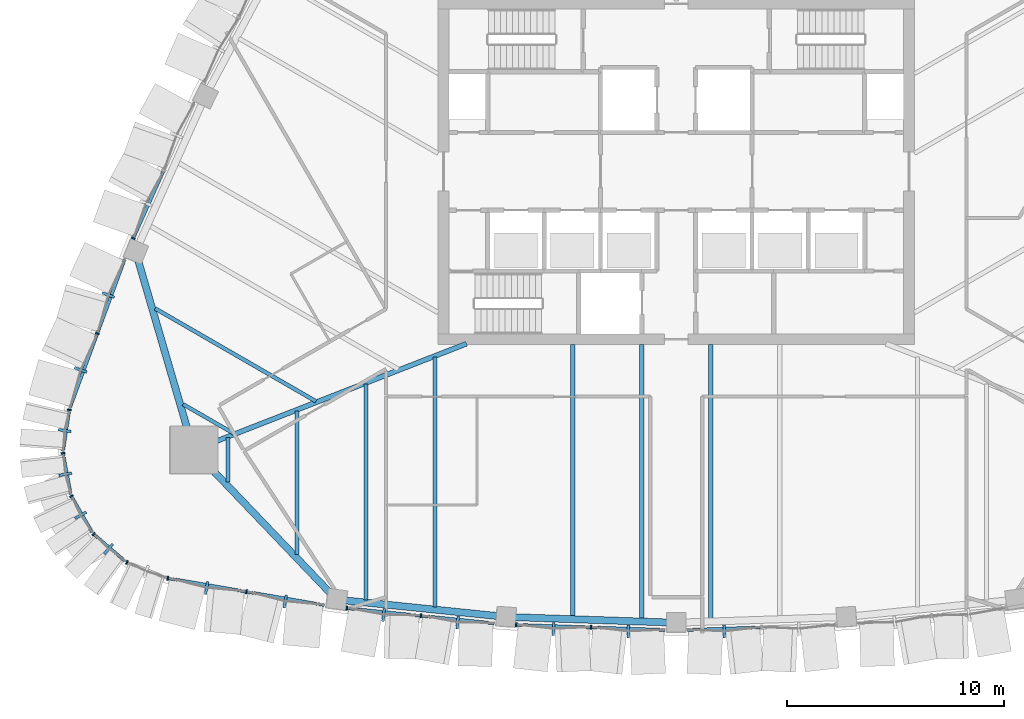
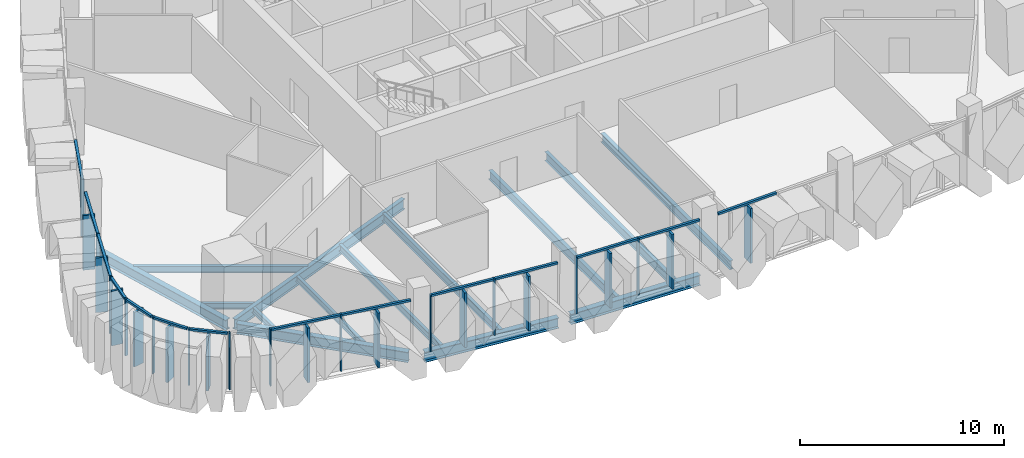
# One storey, part 2 of 19: 40 members, 14 beams, 11 elements without a shape of their own.
"""IFC4 building model written with IfcOpenShell, lengths in metres."""

from ifc_helpers import new_model, si_unit, direction, frame, origin, origin_2d, place, context, subcontext, project, spatial, rectangle, i_section, extrude, material, layer, layer_set, material_profile, profile_set, type_object, element, aggregate, save


model = new_model("IFC4")

# Units and contexts
model_context = context("Model", 3, precision=1e-05, world=origin(), true_north=direction((0.0, 1.0)))
body_context = subcontext(model_context, "Body", "Model", "MODEL_VIEW")
ifc_project = project(units=[si_unit("LENGTHUNIT", "METRE"), si_unit("AREAUNIT", "SQUARE_METRE"), si_unit("VOLUMEUNIT", "CUBIC_METRE"), si_unit("PLANEANGLEUNIT", "RADIAN"), si_unit("MASSUNIT", "GRAM", prefix="KILO")], contexts=[model_context])

# Site, building, storey
site_placement = place(None, origin())
site = spatial("IfcSite", under=ifc_project, at=site_placement, CompositionType="ELEMENT")
building_placement = place(site_placement, origin())
building = spatial("IfcBuilding", under=site, at=building_placement, Name="Sierra Prisma Convention Tower", CompositionType="ELEMENT")
storey_placement = place(building_placement, frame((0.0, 0.0, 231.0)))
storey = spatial("IfcBuildingStorey", under=building, at=storey_placement, Name="L51", CompositionType="ELEMENT", Elevation=231.0)

# Curtain wall, members
ifc_material_1 = material(Name="Aluminium and glass curtain wall", Category="aluminium")
ifc_layer = layer(ifc_material_1, 0.179931640625)
ifc_layer_set = layer_set([ifc_layer], Name="CW-2 Faceted crystal curtain wall")
curtain_wall_type = type_object("IfcCurtainWallType", Name="CW-2 Faceted crystal curtain wall", PredefinedType="NOTDEFINED", material=ifc_layer_set)
curtain_wall_1_placement = place(storey_placement, origin())
curtain_wall_1 = element("IfcCurtainWall", 1, at=curtain_wall_1_placement, inside=storey, type_object=curtain_wall_type, Name="CW-2 S1 L51", PredefinedType="NOTDEFINED")
ifc_material_2 = material(Name="Aluminium 6063-T6 bronze anodised", Category="aluminium")
ifc_material_profile_1 = material_profile(ifc_material_2, rectangle(XDim=0.1201171875, YDim=0.60009765625, at=origin_2d()), Name="ALU RIDGE BLADE 120x600")
ifc_profile_set_1 = profile_set([ifc_material_profile_1], Name="Aluminium 6063-T6 bronze anodised")
member_type_1 = type_object("IfcMemberType", Name="CW hip bronze", PredefinedType="MULLION", material=ifc_profile_set_1)
member_1_placement = place(storey_placement, frame((-21.69091796875, -19.2392578125, 0.0), z_axis=(0.0, 0.0, 1.0), x_axis=(0.985523882043, -0.169536656574, 0.0)))
member_1 = element("IfcMember", 2, at=member_1_placement, type_object=member_type_1, Name="CW-2 ridge S1.1", PredefinedType="MULLION", context=body_context, shape_type="SweptSolid", body=[
    extrude(rectangle(XDim=0.1201171875, YDim=0.60009765625, at=origin_2d()), origin(), (0.0, 0.0, 1.0), 3.280029296875),
])
member_2_placement = place(storey_placement, frame((-18.057861328125, -19.8642578125, 0.0), z_axis=(0.0, 0.0, 1.0), x_axis=(0.985523882043, -0.169536656574, 0.0)))
member_2 = element("IfcMember", 3, at=member_2_placement, type_object=member_type_1, Name="CW-2 ridge S1.2", PredefinedType="MULLION", context=body_context, shape_type="SweptSolid", body=[
    extrude(rectangle(XDim=0.1201171875, YDim=0.60009765625, at=origin_2d()), origin(), (0.0, 0.0, 1.0), 3.280029296875),
])

curtain_wall_2_placement = place(storey_placement, origin())
curtain_wall_2 = element("IfcCurtainWall", 4, at=curtain_wall_2_placement, inside=storey, type_object=curtain_wall_type, Name="CW-2 S2 L51", PredefinedType="NOTDEFINED")
member_3_placement = place(storey_placement, frame((-13.515869140625, -20.47998046875, 0.0), z_axis=(0.0, 0.0, 1.0), x_axis=(0.994780522114, -0.102037800949, 0.0)))
member_3 = element("IfcMember", 5, at=member_3_placement, type_object=member_type_1, Name="CW-2 ridge S2.1", PredefinedType="MULLION", context=body_context, shape_type="SweptSolid", body=[
    extrude(rectangle(XDim=0.1201171875, YDim=0.60009765625, at=origin_2d()), origin(), (0.0, 0.0, 1.0), 3.280029296875),
])
member_4_placement = place(storey_placement, frame((-10.0947265625, -20.830810546875, 0.0), z_axis=(0.0, 0.0, 1.0), x_axis=(0.994780522114, -0.102037800949, 0.0)))
member_4 = element("IfcMember", 6, at=member_4_placement, type_object=member_type_1, Name="CW-2 ridge S2.2", PredefinedType="MULLION", context=body_context, shape_type="SweptSolid", body=[
    extrude(rectangle(XDim=0.1201171875, YDim=0.60009765625, at=origin_2d()), origin(), (0.0, 0.0, 1.0), 3.280029296875),
])

curtain_wall_3_placement = place(storey_placement, origin())
curtain_wall_3 = element("IfcCurtainWall", 7, at=curtain_wall_3_placement, inside=storey, type_object=curtain_wall_type, Name="CW-2 S3 L51", PredefinedType="NOTDEFINED")
member_5_placement = place(storey_placement, frame((-5.6689453125, -21.1328125, 0.0), z_axis=(0.0, 0.0, 1.0), x_axis=(0.999419608961, -0.03406530821, 0.0)))
member_5 = element("IfcMember", 8, at=member_5_placement, type_object=member_type_1, Name="CW-2 ridge S3.1", PredefinedType="MULLION", context=body_context, shape_type="SweptSolid", body=[
    extrude(rectangle(XDim=0.1201171875, YDim=0.60009765625, at=origin_2d()), origin(), (0.0, 0.0, 1.0), 3.280029296875),
])
member_6_placement = place(storey_placement, frame((-2.2158203125, -21.250732421875, 0.0), z_axis=(0.0, 0.0, 1.0), x_axis=(0.999419608961, -0.03406530821, 0.0)))
member_6 = element("IfcMember", 9, at=member_6_placement, type_object=member_type_1, Name="CW-2 ridge S3.2", PredefinedType="MULLION", context=body_context, shape_type="SweptSolid", body=[
    extrude(rectangle(XDim=0.1201171875, YDim=0.60009765625, at=origin_2d()), origin(), (0.0, 0.0, 1.0), 3.280029296875),
])

# Curtain wall, member
curtain_wall_4_placement = place(storey_placement, origin())
curtain_wall_4 = element("IfcCurtainWall", 10, at=curtain_wall_4_placement, inside=storey, type_object=curtain_wall_type, Name="CW-2 S4 L51", PredefinedType="NOTDEFINED")
member_7_placement = place(storey_placement, frame((2.2158203125, -21.250732421875, 0.0), z_axis=(0.0, 0.0, 1.0), x_axis=(0.999419608961, 0.03406530821, 0.0)))
member_7 = element("IfcMember", 11, at=member_7_placement, type_object=member_type_1, Name="CW-2 ridge S4.1", PredefinedType="MULLION", context=body_context, shape_type="SweptSolid", body=[
    extrude(rectangle(XDim=0.1201171875, YDim=0.60009765625, at=origin_2d()), origin(), (0.0, 0.0, 1.0), 3.280029296875),
])

# Curtain wall, members
curtain_wall_5_placement = place(storey_placement, origin())
curtain_wall_5 = element("IfcCurtainWall", 12, at=curtain_wall_5_placement, inside=storey, type_object=curtain_wall_type, Name="CW-2 NW6 L51", PredefinedType="NOTDEFINED")
member_8_placement = place(storey_placement, frame((-26.23193359375, -5.70654296875, 0.0), z_axis=(0.0, 0.0, 1.0), x_axis=(-0.345938889556, -0.938257046173, 0.0)))
member_8 = element("IfcMember", 13, at=member_8_placement, type_object=member_type_1, Name="CW-2 ridge NW6.1", PredefinedType="MULLION", context=body_context, shape_type="SweptSolid", body=[
    extrude(rectangle(XDim=0.1201171875, YDim=0.60009765625, at=origin_2d()), origin(), (0.0, 0.0, 1.0), 3.280029296875),
])
member_9_placement = place(storey_placement, frame((-27.507080078125, -9.165283203125, 0.0), z_axis=(0.0, 0.0, 1.0), x_axis=(-0.345938889556, -0.938257046173, 0.0)))
member_9 = element("IfcMember", 14, at=member_9_placement, type_object=member_type_1, Name="CW-2 ridge NW6.2", PredefinedType="MULLION", context=body_context, shape_type="SweptSolid", body=[
    extrude(rectangle(XDim=0.1201171875, YDim=0.60009765625, at=origin_2d()), origin(), (0.0, 0.0, 1.0), 3.280029296875),
])

# Curtain wall, member
curtain_wall_6_placement = place(storey_placement, origin())
curtain_wall_6 = element("IfcCurtainWall", 15, at=curtain_wall_6_placement, inside=storey, type_object=curtain_wall_type, Name="CW-2 SW1 L51", PredefinedType="NOTDEFINED")
member_10_placement = place(storey_placement, frame((-28.24853515625, -11.966552734375, 0.0), z_axis=(0.0, 0.0, 1.0), x_axis=(-0.150045352731, -0.988679114842, 0.0)))
member_10 = element("IfcMember", 16, at=member_10_placement, type_object=member_type_1, Name="CW-2 ridge SW1.1", PredefinedType="MULLION", context=body_context, shape_type="SweptSolid", body=[
    extrude(rectangle(XDim=0.1201171875, YDim=0.60009765625, at=origin_2d()), origin(), (0.0, 0.0, 1.0), 3.280029296875),
])

curtain_wall_7_placement = place(storey_placement, origin())
curtain_wall_7 = element("IfcCurtainWall", 17, at=curtain_wall_7_placement, inside=storey, type_object=curtain_wall_type, Name="CW-2 SW2 L51", PredefinedType="NOTDEFINED")
member_11_placement = place(storey_placement, frame((-28.21240234375, -13.987548828125, 0.0), z_axis=(0.0, 0.0, 1.0), x_axis=(0.185413179131, -0.982660649973, 0.0)))
member_11 = element("IfcMember", 18, at=member_11_placement, type_object=member_type_1, Name="CW-2 ridge SW2.1", PredefinedType="MULLION", context=body_context, shape_type="SweptSolid", body=[
    extrude(rectangle(XDim=0.1201171875, YDim=0.60009765625, at=origin_2d()), origin(), (0.0, 0.0, 1.0), 3.280029296875),
])

curtain_wall_8_placement = place(storey_placement, origin())
curtain_wall_8 = element("IfcCurtainWall", 19, at=curtain_wall_8_placement, inside=storey, type_object=curtain_wall_type, Name="CW-2 SW3 L51", PredefinedType="NOTDEFINED")
member_12_placement = place(storey_placement, frame((-27.509765625, -15.8828125, 0.0), z_axis=(0.0, 0.0, 1.0), x_axis=(0.5, -0.866025403784, 0.0)))
member_12 = element("IfcMember", 20, at=member_12_placement, type_object=member_type_1, Name="CW-2 ridge SW3.1", PredefinedType="MULLION", context=body_context, shape_type="SweptSolid", body=[
    extrude(rectangle(XDim=0.1201171875, YDim=0.60009765625, at=origin_2d()), origin(), (0.0, 0.0, 1.0), 3.280029296875),
])

curtain_wall_9_placement = place(storey_placement, origin())
curtain_wall_9 = element("IfcCurtainWall", 21, at=curtain_wall_9_placement, inside=storey, type_object=curtain_wall_type, Name="CW-2 SW4 L51", PredefinedType="NOTDEFINED")
member_13_placement = place(storey_placement, frame((-26.2197265625, -17.438720703125, 0.0), z_axis=(0.0, 0.0, 1.0), x_axis=(0.75830249661, -0.65190284831, 0.0)))
member_13 = element("IfcMember", 22, at=member_13_placement, type_object=member_type_1, Name="CW-2 ridge SW4.1", PredefinedType="MULLION", context=body_context, shape_type="SweptSolid", body=[
    extrude(rectangle(XDim=0.1201171875, YDim=0.60009765625, at=origin_2d()), origin(), (0.0, 0.0, 1.0), 3.280029296875),
])

# Member
ifc_material_3 = material(Name="Aluminium 6063-T6 bronze anodised", Category="aluminium")
ifc_material_profile_2 = material_profile(ifc_material_3, rectangle(XDim=0.179931640625, YDim=0.070068359375, at=origin_2d()), Name="ALU MULLION 70x180")
ifc_profile_set_2 = profile_set([ifc_material_profile_2], Name="Aluminium 6063-T6 bronze anodised")
member_type_2 = type_object("IfcMemberType", Name="CW mullion bronze", PredefinedType="MULLION", material=ifc_profile_set_2)
member_14_placement = place(storey_placement, frame((-23.483154296875, -18.78662109375, 0.0), z_axis=(0.0, 0.0, 1.0), x_axis=(0.169536656574, 0.985523882043, 0.0)))
member_14 = element("IfcMember", 23, at=member_14_placement, type_object=member_type_2, Name="CW-1 mullion S1.1", PredefinedType="MULLION", context=body_context, shape_type="SweptSolid", body=[
    extrude(rectangle(XDim=0.179931640625, YDim=0.070068359375, at=origin_2d()), origin(), (0.0, 0.0, 1.0), 3.39990234375),
])

member_15_placement = place(storey_placement, frame((-19.850341796875, -19.411376953125, 0.0), z_axis=(0.0, 0.0, 1.0), x_axis=(0.169536656574, 0.985523882043, 0.0)))
member_15 = element("IfcMember", 24, at=member_15_placement, type_object=member_type_2, Name="CW-1 mullion S1.2", PredefinedType="MULLION", context=body_context, shape_type="SweptSolid", body=[
    extrude(rectangle(XDim=0.179931640625, YDim=0.070068359375, at=origin_2d()), origin(), (0.0, 0.0, 1.0), 3.39990234375),
])

member_16_placement = place(storey_placement, frame((-15.212890625, -20.172607421875, 0.0), z_axis=(0.0, 0.0, 1.0), x_axis=(0.102037800949, 0.994780522114, 0.0)))
member_16 = element("IfcMember", 25, at=member_16_placement, type_object=member_type_2, Name="CW-1 mullion S2.1", PredefinedType="MULLION", context=body_context, shape_type="SweptSolid", body=[
    extrude(rectangle(XDim=0.179931640625, YDim=0.070068359375, at=origin_2d()), origin(), (0.0, 0.0, 1.0), 3.39990234375),
])

member_17_placement = place(storey_placement, frame((-11.791748046875, -20.523681640625, 0.0), z_axis=(0.0, 0.0, 1.0), x_axis=(0.102037800949, 0.994780522114, 0.0)))
member_17 = element("IfcMember", 26, at=member_17_placement, type_object=member_type_2, Name="CW-1 mullion S2.2", PredefinedType="MULLION", context=body_context, shape_type="SweptSolid", body=[
    extrude(rectangle(XDim=0.179931640625, YDim=0.070068359375, at=origin_2d()), origin(), (0.0, 0.0, 1.0), 3.39990234375),
])

member_18_placement = place(storey_placement, frame((-7.390869140625, -20.94091796875, 0.0), z_axis=(0.0, 0.0, 1.0), x_axis=(0.03406530821, 0.999419608961, 0.0)))
member_18 = element("IfcMember", 27, at=member_18_placement, type_object=member_type_2, Name="CW-1 mullion S3.1", PredefinedType="MULLION", context=body_context, shape_type="SweptSolid", body=[
    extrude(rectangle(XDim=0.179931640625, YDim=0.070068359375, at=origin_2d()), origin(), (0.0, 0.0, 1.0), 3.39990234375),
])

member_19_placement = place(storey_placement, frame((-3.937744140625, -21.05859375, 0.0), z_axis=(0.0, 0.0, 1.0), x_axis=(0.03406530821, 0.999419608961, 0.0)))
member_19 = element("IfcMember", 28, at=member_19_placement, type_object=member_type_2, Name="CW-1 mullion S3.2", PredefinedType="MULLION", context=body_context, shape_type="SweptSolid", body=[
    extrude(rectangle(XDim=0.179931640625, YDim=0.070068359375, at=origin_2d()), origin(), (0.0, 0.0, 1.0), 3.39990234375),
])

# Curtain wall, member
curtain_wall_10_placement = place(storey_placement, origin())
curtain_wall_10 = element("IfcCurtainWall", 29, at=curtain_wall_10_placement, inside=storey, type_object=curtain_wall_type, Name="CW-2 NW5 L51", PredefinedType="NOTDEFINED")
member_20_placement = place(storey_placement, frame((-25.076416015625, -3.08837890625, 0.0), z_axis=(0.0, 0.0, 1.0), x_axis=(0.912524103815, -0.409022933289, 0.0)))
member_20 = element("IfcMember", 30, at=member_20_placement, type_object=member_type_2, Name="CW-1 mullion NW5.3", PredefinedType="MULLION", context=body_context, shape_type="SweptSolid", body=[
    extrude(rectangle(XDim=0.179931640625, YDim=0.070068359375, at=origin_2d()), origin(), (0.0, 0.0, 1.0), 3.39990234375),
])

# Member
member_21_placement = place(storey_placement, frame((-26.736083984375, -7.485107421875, 0.0), z_axis=(0.0, 0.0, 1.0), x_axis=(0.938257046173, -0.345938889556, 0.0)))
member_21 = element("IfcMember", 31, at=member_21_placement, type_object=member_type_2, Name="CW-1 mullion NW6.2", PredefinedType="MULLION", context=body_context, shape_type="SweptSolid", body=[
    extrude(rectangle(XDim=0.179931640625, YDim=0.070068359375, at=origin_2d()), origin(), (0.0, 0.0, 1.0), 3.39990234375),
])

member_22_placement = place(storey_placement, frame((-28.028564453125, -11.01123046875, 0.0), z_axis=(0.0, 0.0, 1.0), x_axis=(0.988679114842, -0.150045352731, 0.0)))
member_22 = element("IfcMember", 32, at=member_22_placement, type_object=member_type_2, Name="CW-1 mullion SW1.1", PredefinedType="MULLION", context=body_context, shape_type="SweptSolid", body=[
    extrude(rectangle(XDim=0.179931640625, YDim=0.070068359375, at=origin_2d()), origin(), (0.0, 0.0, 1.0), 3.39990234375),
])

member_23_placement = place(storey_placement, frame((-28.32080078125, -13.01318359375, 0.0), z_axis=(0.0, 0.0, 1.0), x_axis=(0.982660649973, 0.185413179131, 0.0)))
member_23 = element("IfcMember", 33, at=member_23_placement, type_object=member_type_2, Name="CW-1 mullion SW2.1", PredefinedType="MULLION", context=body_context, shape_type="SweptSolid", body=[
    extrude(rectangle(XDim=0.179931640625, YDim=0.070068359375, at=origin_2d()), origin(), (0.0, 0.0, 1.0), 3.39990234375),
])

member_24_placement = place(storey_placement, frame((-27.93408203125, -14.9990234375, 0.0), z_axis=(0.0, 0.0, 1.0), x_axis=(0.866025403784, 0.5, 0.0)))
member_24 = element("IfcMember", 34, at=member_24_placement, type_object=member_type_2, Name="CW-1 mullion SW3.1", PredefinedType="MULLION", context=body_context, shape_type="SweptSolid", body=[
    extrude(rectangle(XDim=0.179931640625, YDim=0.070068359375, at=origin_2d()), origin(), (0.0, 0.0, 1.0), 3.39990234375),
])

member_25_placement = place(storey_placement, frame((-26.91259765625, -16.745361328125, 0.0), z_axis=(0.0, 0.0, 1.0), x_axis=(0.65190284831, 0.75830249661, 0.0)))
member_25 = element("IfcMember", 35, at=member_25_placement, type_object=member_type_2, Name="CW-1 mullion SW4.1", PredefinedType="MULLION", context=body_context, shape_type="SweptSolid", body=[
    extrude(rectangle(XDim=0.179931640625, YDim=0.070068359375, at=origin_2d()), origin(), (0.0, 0.0, 1.0), 3.39990234375),
])

# Curtain wall, member
curtain_wall_11_placement = place(storey_placement, origin())
curtain_wall_11 = element("IfcCurtainWall", 36, at=curtain_wall_11_placement, inside=storey, type_object=curtain_wall_type, Name="CW-2 SW5 L51", PredefinedType="NOTDEFINED")
member_26_placement = place(storey_placement, frame((-25.370849609375, -18.055419921875, 0.0), z_axis=(0.0, 0.0, 1.0), x_axis=(0.364396470236, 0.931243906009, 0.0)))
member_26 = element("IfcMember", 37, at=member_26_placement, type_object=member_type_2, Name="CW-1 mullion SW5.1", PredefinedType="MULLION", context=body_context, shape_type="SweptSolid", body=[
    extrude(rectangle(XDim=0.179931640625, YDim=0.070068359375, at=origin_2d()), origin(), (0.0, 0.0, 1.0), 3.39990234375),
])
aggregate(curtain_wall_11, [member_26])

# Member
ifc_material_4 = material(Name="Aluminium 6063-T6 bronze anodised", Category="aluminium")
ifc_material_profile_3 = material_profile(ifc_material_4, rectangle(XDim=0.139892578125, YDim=0.1201171875, at=origin_2d()), Name="ALU TRANSOM 120x140")
ifc_profile_set_3 = profile_set([ifc_material_profile_3], Name="Aluminium 6063-T6 bronze anodised")
member_type_3 = type_object("IfcMemberType", Name="CW transom bronze", PredefinedType="USERDEFINED", material=ifc_profile_set_3)
member_27_placement = place(storey_placement, frame((-23.44873046875, -18.79248046875, 3.340087890625), z_axis=(0.985526693461, -0.16952031287, 0.0), x_axis=(0.16952031287, 0.985526693461, 0.0)))
member_27 = element("IfcMember", 38, at=member_27_placement, type_object=member_type_3, Name="CW-1 transom S1.1", ObjectType="TRANSOM", PredefinedType="USERDEFINED", context=body_context, shape_type="SweptSolid", body=[
    extrude(rectangle(XDim=0.139892578125, YDim=0.1201171875, at=origin_2d()), origin(), (0.0, 0.0, 1.0), 3.6162109375),
])

member_28_placement = place(storey_placement, frame((-19.81591796875, -19.41748046875, 3.340087890625), z_axis=(0.985526693461, -0.16952031287, 0.0), x_axis=(0.16952031287, 0.985526693461, 0.0)))
member_28 = element("IfcMember", 39, at=member_28_placement, type_object=member_type_3, Name="CW-1 transom S1.2", ObjectType="TRANSOM", PredefinedType="USERDEFINED", context=body_context, shape_type="SweptSolid", body=[
    extrude(rectangle(XDim=0.139892578125, YDim=0.1201171875, at=origin_2d()), origin(), (0.0, 0.0, 1.0), 3.6162109375),
])

aggregate(curtain_wall_1, [member_14, member_15, member_27, member_1, member_28, member_2])

member_29_placement = place(storey_placement, frame((-15.17822265625, -20.17626953125, 3.340087890625), z_axis=(0.994782192868, -0.102021511221, 0.0), x_axis=(0.102021511221, 0.994782192868, 0.0)))
member_29 = element("IfcMember", 40, at=member_29_placement, type_object=member_type_3, Name="CW-1 transom S2.1", ObjectType="TRANSOM", PredefinedType="USERDEFINED", context=body_context, shape_type="SweptSolid", body=[
    extrude(rectangle(XDim=0.139892578125, YDim=0.1201171875, at=origin_2d()), origin(), (0.0, 0.0, 1.0), 3.369384765625),
])

member_30_placement = place(storey_placement, frame((-11.7568359375, -20.527099609375, 3.340087890625), z_axis=(0.994781438611, -0.102028865499, 0.0), x_axis=(0.102028865499, 0.994781438611, 0.0)))
member_30 = element("IfcMember", 41, at=member_30_placement, type_object=member_type_3, Name="CW-1 transom S2.2", ObjectType="TRANSOM", PredefinedType="USERDEFINED", context=body_context, shape_type="SweptSolid", body=[
    extrude(rectangle(XDim=0.139892578125, YDim=0.1201171875, at=origin_2d()), origin(), (0.0, 0.0, 1.0), 3.369140625),
])

aggregate(curtain_wall_2, [member_16, member_17, member_29, member_3, member_30, member_4])

member_31_placement = place(storey_placement, frame((-7.35595703125, -20.942138671875, 3.340087890625), z_axis=(0.999420387349, -0.034042463941, 0.0), x_axis=(0.034042463941, 0.999420387349, 0.0)))
member_31 = element("IfcMember", 42, at=member_31_placement, type_object=member_type_3, Name="CW-1 transom S3.1", ObjectType="TRANSOM", PredefinedType="USERDEFINED", context=body_context, shape_type="SweptSolid", body=[
    extrude(rectangle(XDim=0.139892578125, YDim=0.1201171875, at=origin_2d()), origin(), (0.0, 0.0, 1.0), 3.385009765625),
])

member_32_placement = place(storey_placement, frame((-3.90283203125, -21.059814453125, 3.340087890625), z_axis=(0.999420387349, -0.034042463941, 0.0), x_axis=(0.034042463941, 0.999420387349, 0.0)))
member_32 = element("IfcMember", 43, at=member_32_placement, type_object=member_type_3, Name="CW-1 transom S3.2", ObjectType="TRANSOM", PredefinedType="USERDEFINED", context=body_context, shape_type="SweptSolid", body=[
    extrude(rectangle(XDim=0.139892578125, YDim=0.1201171875, at=origin_2d()), origin(), (0.0, 0.0, 1.0), 3.385009765625),
])

aggregate(curtain_wall_3, [member_18, member_19, member_31, member_5, member_32, member_6])

member_33_placement = place(storey_placement, frame((0.519775390625, -21.175048828125, 3.340087890625), z_axis=(0.999420387349, 0.034042463941, 0.0), x_axis=(-0.034042463941, 0.999420387349, 0.0)))
member_33 = element("IfcMember", 44, at=member_33_placement, type_object=member_type_3, Name="CW-1 transom S4.1", ObjectType="TRANSOM", PredefinedType="USERDEFINED", context=body_context, shape_type="SweptSolid", body=[
    extrude(rectangle(XDim=0.139892578125, YDim=0.1201171875, at=origin_2d()), origin(), (0.0, 0.0, 1.0), 3.385009765625),
])

aggregate(curtain_wall_4, [member_33, member_7])

member_34_placement = place(storey_placement, frame((-23.68408203125, 0.017822265625, 3.340087890625), z_axis=(-0.409047581716, -0.91251305519, 0.0), x_axis=(0.91251305519, -0.409047581716, 0.0)))
member_34 = element("IfcMember", 45, at=member_34_placement, type_object=member_type_3, Name="CW-1 transom NW5.2", ObjectType="TRANSOM", PredefinedType="USERDEFINED", context=body_context, shape_type="SweptSolid", body=[
    extrude(rectangle(XDim=0.139892578125, YDim=0.1201171875, at=origin_2d()), origin(), (0.0, 0.0, 1.0), 3.369140625),
])

aggregate(curtain_wall_10, [member_20, member_34])

member_35_placement = place(storey_placement, frame((-25.472900390625, -4.059326171875, 3.340087890625), z_axis=(-0.345924347233, -0.938262407854, 0.0), x_axis=(0.938262407854, -0.345924347233, 0.0)))
member_35 = element("IfcMember", 46, at=member_35_placement, type_object=member_type_3, Name="CW-1 transom NW6.1", ObjectType="TRANSOM", PredefinedType="USERDEFINED", context=body_context, shape_type="SweptSolid", body=[
    extrude(rectangle(XDim=0.139892578125, YDim=0.1201171875, at=origin_2d()), origin(), (0.0, 0.0, 1.0), 3.6162109375),
])

member_36_placement = place(storey_placement, frame((-26.748046875, -7.51806640625, 3.340087890625), z_axis=(-0.345946260296, -0.93825432852, 0.0), x_axis=(0.93825432852, -0.345946260296, 0.0)))
member_36 = element("IfcMember", 47, at=member_36_placement, type_object=member_type_3, Name="CW-1 transom NW6.2", ObjectType="TRANSOM", PredefinedType="USERDEFINED", context=body_context, shape_type="SweptSolid", body=[
    extrude(rectangle(XDim=0.139892578125, YDim=0.1201171875, at=origin_2d()), origin(), (0.0, 0.0, 1.0), 3.6162109375),
])

aggregate(curtain_wall_5, [member_21, member_35, member_8, member_36, member_9])

member_37_placement = place(storey_placement, frame((-28.033935546875, -11.0458984375, 3.340087890625), z_axis=(-0.149974183825, -0.98868991306, 0.0), x_axis=(0.98868991306, -0.149974183825, 0.0)))
member_37 = element("IfcMember", 48, at=member_37_placement, type_object=member_type_3, Name="CW-1 transom SW1.1", ObjectType="TRANSOM", PredefinedType="USERDEFINED", context=body_context, shape_type="SweptSolid", body=[
    extrude(rectangle(XDim=0.139892578125, YDim=0.1201171875, at=origin_2d()), origin(), (0.0, 0.0, 1.0), 1.885009765625),
])

aggregate(curtain_wall_6, [member_22, member_37, member_10])

member_38_placement = place(storey_placement, frame((-28.314208984375, -13.047607421875, 3.340087890625), z_axis=(0.185469211625, -0.982650075835, 0.0), x_axis=(0.982650075835, 0.185469211625, 0.0)))
member_38 = element("IfcMember", 49, at=member_38_placement, type_object=member_type_3, Name="CW-1 transom SW2.1", ObjectType="TRANSOM", PredefinedType="USERDEFINED", context=body_context, shape_type="SweptSolid", body=[
    extrude(rectangle(XDim=0.139892578125, YDim=0.1201171875, at=origin_2d()), origin(), (0.0, 0.0, 1.0), 1.885009765625),
])

aggregate(curtain_wall_7, [member_23, member_38, member_11])

member_39_placement = place(storey_placement, frame((-27.916748046875, -15.029296875, 3.340087890625), z_axis=(0.500025132165, -0.866010893236, 0.0), x_axis=(0.866010893236, 0.500025132165, 0.0)))
member_39 = element("IfcMember", 50, at=member_39_placement, type_object=member_type_3, Name="CW-1 transom SW3.1", ObjectType="TRANSOM", PredefinedType="USERDEFINED", context=body_context, shape_type="SweptSolid", body=[
    extrude(rectangle(XDim=0.139892578125, YDim=0.1201171875, at=origin_2d()), origin(), (0.0, 0.0, 1.0), 1.88525390625),
])

aggregate(curtain_wall_8, [member_24, member_39, member_12])

member_40_placement = place(storey_placement, frame((-26.885986328125, -16.76806640625, 3.340087890625), z_axis=(0.758268421779, -0.651942482534, 0.0), x_axis=(0.651942482534, 0.758268421779, 0.0)))
member_40 = element("IfcMember", 51, at=member_40_placement, type_object=member_type_3, Name="CW-1 transom SW4.1", ObjectType="TRANSOM", PredefinedType="USERDEFINED", context=body_context, shape_type="SweptSolid", body=[
    extrude(rectangle(XDim=0.139892578125, YDim=0.1201171875, at=origin_2d()), origin(), (0.0, 0.0, 1.0), 1.88525390625),
])

aggregate(curtain_wall_9, [member_25, member_40, member_13])

# Beams
ifc_material_5 = material(Name="Steel ASTM A992 Gr 50", Category="steel")
ifc_material_profile_4 = material_profile(ifc_material_5, i_section(OverallWidth=0.172119140625, OverallDepth=0.35791015625, WebThickness=0.0078125, FlangeThickness=0.01318359375, at=origin_2d()), Name="W360x57")
ifc_profile_set_4 = profile_set([ifc_material_profile_4], Name="Steel ASTM A992 Gr 50")
beam_type_1 = type_object("IfcBeamType", Name="Floor joist W360x57", PredefinedType="JOIST", material=ifc_profile_set_4)
beam_1_placement = place(storey_placement, frame((-20.7001953125, -14.350341796875, -0.3291015625), z_axis=(0.0, 1.0, 0.0), x_axis=(-1.0, 0.0, 0.0)))
element("IfcBeam", 52, at=beam_1_placement, inside=storey, type_object=beam_type_1, Name="Floor joist L51 S01", PredefinedType="JOIST", context=body_context, shape_type="SweptSolid", body=[
    extrude(i_section(OverallWidth=0.172119140625, OverallDepth=0.35791015625, WebThickness=0.0078125, FlangeThickness=0.01318359375, at=origin_2d()), origin(), (0.0, 0.0, 1.0), 2.05126953125),
])
beam_2_placement = place(storey_placement, frame((-17.515380859375, -17.679931640625, -0.3291015625), z_axis=(0.0, 1.0, 0.0), x_axis=(-1.0, 0.0, 0.0)))
element("IfcBeam", 53, at=beam_2_placement, inside=storey, type_object=beam_type_1, Name="Floor joist L51 S02", PredefinedType="JOIST", context=body_context, shape_type="SweptSolid", body=[
    extrude(i_section(OverallWidth=0.172119140625, OverallDepth=0.35791015625, WebThickness=0.0078125, FlangeThickness=0.01318359375, at=origin_2d()), origin(), (0.0, 0.0, 1.0), 6.62255859375),
])
beam_3_placement = place(storey_placement, frame((-22.77783203125, -10.751708984375, -0.3291015625), z_axis=(0.866039334336, -0.4999758708, 0.0), x_axis=(0.4999758708, 0.866039334336, 0.0)))
element("IfcBeam", 54, at=beam_3_placement, inside=storey, type_object=beam_type_1, Name="Floor joist L51 NW14", PredefinedType="JOIST", context=body_context, shape_type="SweptSolid", body=[
    extrude(i_section(OverallWidth=0.172119140625, OverallDepth=0.35791015625, WebThickness=0.0078125, FlangeThickness=0.01318359375, at=origin_2d()), origin(), (0.0, 0.0, 1.0), 2.696533203125),
])
ifc_material_6 = material(Name="Steel ASTM A992 Gr 50", Category="steel")
ifc_material_profile_5 = material_profile(ifc_material_6, i_section(OverallWidth=0.177978515625, OverallDepth=0.406982421875, WebThickness=0.0078125, FlangeThickness=0.0126953125, at=origin_2d()), Name="W410x60")
ifc_profile_set_5 = profile_set([ifc_material_profile_5], Name="Steel ASTM A992 Gr 50")
beam_type_2 = type_object("IfcBeamType", Name="Floor joist W410x60", PredefinedType="JOIST", material=ifc_profile_set_5)
beam_4_placement = place(storey_placement, frame((-14.330810546875, -19.798095703125, -0.353515625), z_axis=(0.0, 1.0, 0.0), x_axis=(-1.0, 0.0, 0.0)))
element("IfcBeam", 55, at=beam_4_placement, inside=storey, type_object=beam_type_2, Name="Floor joist L51 S03", PredefinedType="JOIST", context=body_context, shape_type="SweptSolid", body=[
    extrude(i_section(OverallWidth=0.177978515625, OverallDepth=0.406982421875, WebThickness=0.0078125, FlangeThickness=0.0126953125, at=origin_2d()), origin(), (0.0, 0.0, 1.0), 9.982177734375),
])
beam_5_placement = place(storey_placement, frame((-24.069091796875, -6.328857421875, -0.353515625), z_axis=(0.866025855365, -0.499999217839, 0.0), x_axis=(0.499999217839, 0.866025855365, 0.0)))
element("IfcBeam", 56, at=beam_5_placement, inside=storey, type_object=beam_type_2, Name="Floor joist L51 NW13", PredefinedType="JOIST", context=body_context, shape_type="SweptSolid", body=[
    extrude(i_section(OverallWidth=0.177978515625, OverallDepth=0.406982421875, WebThickness=0.0078125, FlangeThickness=0.0126953125, at=origin_2d()), origin(), (0.0, 0.0, 1.0), 8.57763671875),
])
ifc_material_7 = material(Name="Steel ASTM A992 Gr 50", Category="steel")
ifc_material_profile_6 = material_profile(ifc_material_7, i_section(OverallWidth=0.18994140625, OverallDepth=0.45703125, WebThickness=0.009033203125, FlangeThickness=0.014404296875, at=origin_2d()), Name="W460x74")
ifc_profile_set_6 = profile_set([ifc_material_profile_6], Name="Steel ASTM A992 Gr 50")
beam_type_3 = type_object("IfcBeamType", Name="Floor joist W460x74", PredefinedType="JOIST", material=ifc_profile_set_6)
beam_6_placement = place(storey_placement, frame((-11.146240234375, -20.124755859375, -0.37841796875), z_axis=(0.0, 1.0, 0.0), x_axis=(-1.0, 0.0, 0.0)))
element("IfcBeam", 57, at=beam_6_placement, inside=storey, type_object=beam_type_3, Name="Floor joist L51 S04", PredefinedType="JOIST", context=body_context, shape_type="SweptSolid", body=[
    extrude(i_section(OverallWidth=0.18994140625, OverallDepth=0.45703125, WebThickness=0.009033203125, FlangeThickness=0.014404296875, at=origin_2d()), origin(), (0.0, 0.0, 1.0), 11.550537109375),
])
ifc_material_8 = material(Name="Steel ASTM A992 Gr 50", Category="steel")
ifc_material_profile_7 = material_profile(ifc_material_8, i_section(OverallWidth=0.208984375, OverallDepth=0.532958984375, WebThickness=0.01025390625, FlangeThickness=0.015625, at=origin_2d()), Name="W530x92")
ifc_profile_set_7 = profile_set([ifc_material_profile_7], Name="Steel ASTM A992 Gr 50")
beam_type_4 = type_object("IfcBeamType", Name="Floor joist W530x92", PredefinedType="JOIST", material=ifc_profile_set_7)
beam_7_placement = place(storey_placement, frame((-4.77685546875, -20.5673828125, -0.41650390625), z_axis=(0.0, 1.0, 0.0), x_axis=(-1.0, 0.0, 0.0)))
element("IfcBeam", 58, at=beam_7_placement, inside=storey, type_object=beam_type_4, Name="Floor joist L51 S06", PredefinedType="JOIST", context=body_context, shape_type="SweptSolid", body=[
    extrude(i_section(OverallWidth=0.208984375, OverallDepth=0.532958984375, WebThickness=0.01025390625, FlangeThickness=0.015625, at=origin_2d()), origin(), (0.0, 0.0, 1.0), 12.5673828125),
])
for number, where, z_axis, x_axis, name in (
    (59, (-1.59228515625, -20.676025390625, -0.41650390625), (0.0, 1.0, 0.0), (-1.0, 0.0, 0.0), "Floor joist L51 S07"),
    (60, (1.59228515625, -20.676025390625, -0.41650390625), (0.0, 1.0, 0.0), (-1.0, 0.0, 0.0), "Floor joist L51 S08"),
):
    element("IfcBeam", number, at=place(storey_placement, frame(where, z_axis=z_axis, x_axis=x_axis)), inside=storey, type_object=beam_type_4, Name=name, PredefinedType="JOIST", context=body_context, shape_type="SweptSolid", body=[
        extrude(i_section(OverallWidth=0.208984375, OverallDepth=0.532958984375, WebThickness=0.01025390625, FlangeThickness=0.015625, at=origin_2d()), origin(), (0.0, 0.0, 1.0), 12.676025390625),
    ])
ifc_material_9 = material(Name="Steel ASTM A992 Gr 50", Category="steel")
ifc_material_profile_8 = material_profile(ifc_material_9, i_section(OverallWidth=0.22998046875, OverallDepth=0.616943359375, WebThickness=0.01318359375, FlangeThickness=0.022216796875, at=origin_2d()), Name="W610x140")
ifc_profile_set_8 = profile_set([ifc_material_profile_8], Name="Steel ASTM A992 Gr 50")
beam_type_5 = type_object("IfcBeamType", Name="Radial girder W610x140", PredefinedType="BEAM", material=ifc_profile_set_8)
beam_8_placement = place(storey_placement, frame((-22.072509765625, -12.78466796875, -0.45849609375), z_axis=(0.931692725478, 0.363247388554, 0.0), x_axis=(-0.363247388554, 0.931692725478, 0.0)))
element("IfcBeam", 61, at=beam_8_placement, inside=storey, type_object=beam_type_5, Name="Radial girder L51 SW", PredefinedType="BEAM", context=body_context, shape_type="SweptSolid", body=[
    extrude(i_section(OverallWidth=0.22998046875, OverallDepth=0.616943359375, WebThickness=0.01318359375, FlangeThickness=0.022216796875, at=origin_2d()), origin(), (0.0, 0.0, 1.0), 13.292236328125),
])
ifc_material_10 = material(Name="Steel ASTM A992 Gr 50", Category="steel")
ifc_material_profile_9 = material_profile(ifc_material_10, i_section(OverallWidth=0.324951171875, OverallDepth=0.615966796875, WebThickness=0.013916015625, FlangeThickness=0.021484375, at=origin_2d()), Name="W610x174")
ifc_profile_set_9 = profile_set([ifc_material_profile_9], Name="Steel ASTM A992 Gr 50")
beam_type_6 = type_object("IfcBeamType", Name="Spandrel beam W610x174", PredefinedType="BEAM", material=ifc_profile_set_9)
beam_9_placement = place(storey_placement, frame((-22.08203125, -13.090576171875, -0.4580078125), z_axis=(0.691184179658, -0.722678649049, 0.0), x_axis=(0.722678649049, 0.691184179658, 0.0)))
element("IfcBeam", 62, at=beam_9_placement, inside=storey, type_object=beam_type_6, Name="Spandrel L51-01", PredefinedType="BEAM", context=body_context, shape_type="SweptSolid", body=[
    extrude(i_section(OverallWidth=0.324951171875, OverallDepth=0.615966796875, WebThickness=0.013916015625, FlangeThickness=0.021484375, at=origin_2d()), origin(), (0.0, 0.0, 1.0), 8.79052734375),
])
for number, where, z_axis, x_axis, name in (
    (63, (-15.36328125, -19.8056640625, -0.4580078125), (0.99478284883, -0.102015114932, 0.0), (0.102015114932, 0.99478284883, 0.0), "Spandrel L51-02"),
    (64, (-7.5341796875, -20.5859375, -0.4580078125), (0.999419358552, -0.034072654016, 0.0), (0.034072654016, 0.999419358552, 0.0), "Spandrel L51-03"),
):
    element("IfcBeam", number, at=place(storey_placement, frame(where, z_axis=z_axis, x_axis=x_axis)), inside=storey, type_object=beam_type_6, Name=name, PredefinedType="BEAM", context=body_context, shape_type="SweptSolid", body=[
        extrude(i_section(OverallWidth=0.324951171875, OverallDepth=0.615966796875, WebThickness=0.013916015625, FlangeThickness=0.021484375, at=origin_2d()), origin(), (0.0, 0.0, 1.0), 7.208251953125),
    ])
beam_10_placement = place(storey_placement, frame((-24.841552734375, -4.14013671875, -0.4580078125), z_axis=(0.280273862818, -0.959920080955, 0.0), x_axis=(0.959920080955, 0.280273862818, 0.0)))
element("IfcBeam", 65, at=beam_10_placement, inside=storey, type_object=beam_type_6, Name="Spandrel L51-18", PredefinedType="BEAM", context=body_context, shape_type="SweptSolid", body=[
    extrude(i_section(OverallWidth=0.324951171875, OverallDepth=0.615966796875, WebThickness=0.013916015625, FlangeThickness=0.021484375, at=origin_2d()), origin(), (0.0, 0.0, 1.0), 8.86572265625),
])

save(model, "model.ifc")
